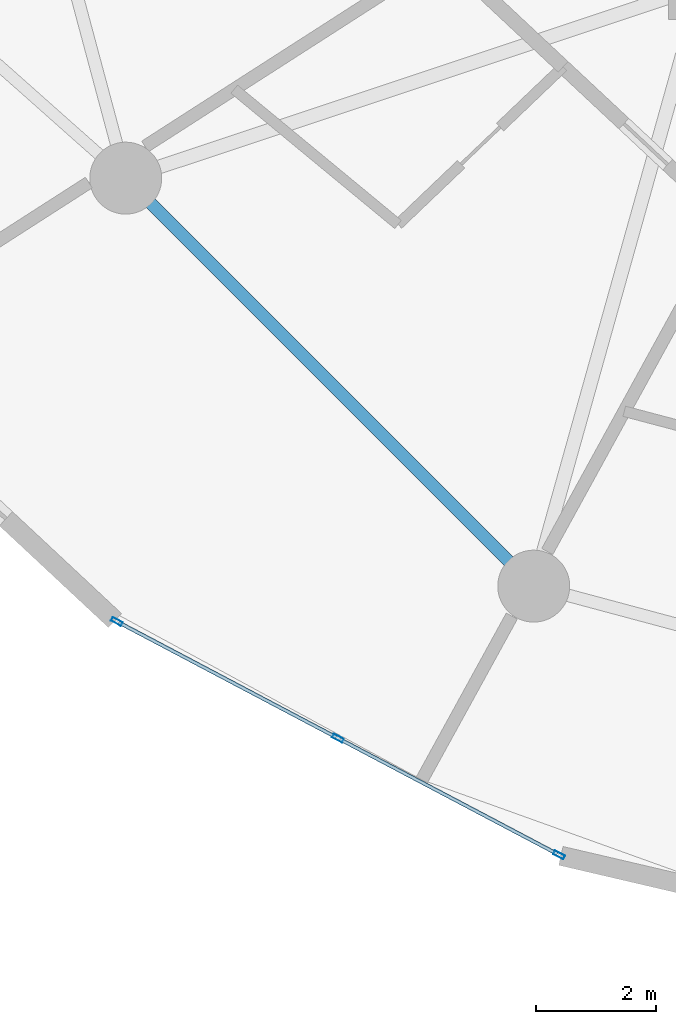
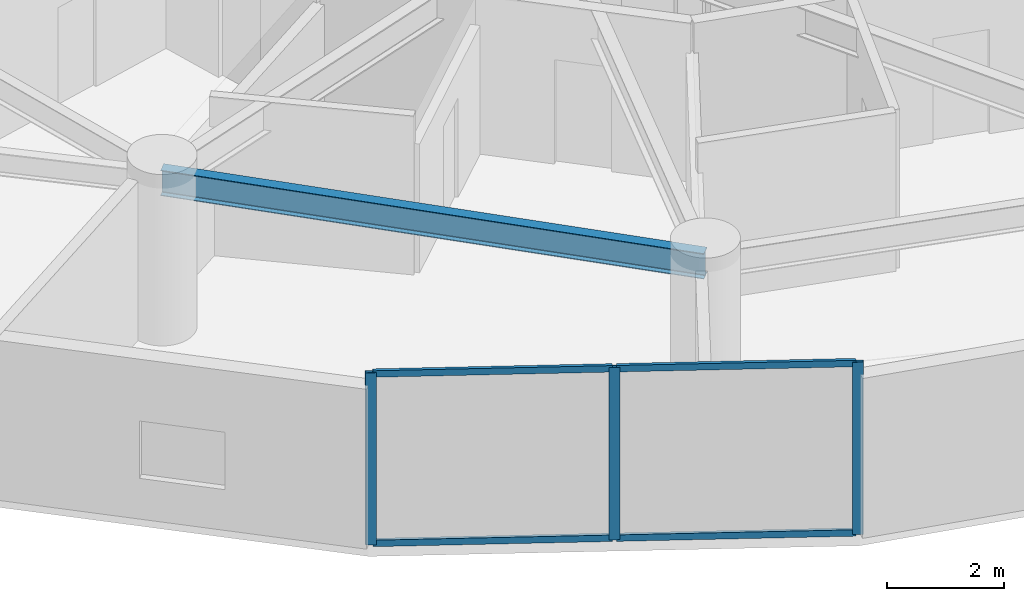
# One storey, part 2 of 23: 7 members, 1 beam, 1 element without a shape of its own.
"""IFC4 building model written with IfcOpenShell, lengths in metres."""

from ifc_helpers import new_model, si_unit, direction, frame, origin, origin_2d, place, context, subcontext, project, spatial, hollow_rectangle, i_section, extrude, source, transform, mapped, material, layer, layer_set, material_profile, profile_set, type_object, element, aggregate, save


model = new_model("IFC4")

# Units and contexts
model_context = context("Model", 3, precision=1e-05, world=origin(), true_north=direction((0.0, 1.0)))
body_context = subcontext(model_context, "Body", "Model", "MODEL_VIEW")
ifc_project = project(units=[si_unit("LENGTHUNIT", "METRE"), si_unit("AREAUNIT", "SQUARE_METRE"), si_unit("VOLUMEUNIT", "CUBIC_METRE"), si_unit("PLANEANGLEUNIT", "RADIAN"), si_unit("MASSUNIT", "GRAM", prefix="KILO")], contexts=[model_context])

# Site, building, storey
site_placement = place(None, origin())
site = spatial("IfcSite", under=ifc_project, at=site_placement, CompositionType="ELEMENT")
building_placement = place(site_placement, origin())
building = spatial("IfcBuilding", under=site, at=building_placement, Name="Solvirekh Grand Hotel", CompositionType="ELEMENT")
storey_placement = place(building_placement, frame((0.0, 0.0, 75.199951171875)))
storey = spatial("IfcBuildingStorey", under=building, at=storey_placement, Name="L18", CompositionType="ELEMENT", Elevation=75.199951171875)

# Beam
ifc_material_1 = material(Name="Steel S355", Category="steel")
ifc_material_profile_1 = material_profile(ifc_material_1, i_section(OverallWidth=0.208984375, OverallDepth=0.532958984375, WebThickness=0.010009765625, FlangeThickness=0.014892578125, FilletRadius=0.013916015625, at=origin_2d()), Name="W530X92")
ifc_profile_set_1 = profile_set([ifc_material_profile_1], Name="Steel S355")
beam_type = type_object("IfcBeamType", Name="Spandrel_Ring_W530", PredefinedType="SPANDREL", material=ifc_profile_set_1)
beam_placement = place(storey_placement, frame((-16.10791015625, -9.300048828125, 3.073974609375), z_axis=(0.707106781187, -0.707106781187, 0.0), x_axis=(0.707106781187, 0.707106781187, 0.0)))
element("IfcBeam", 1, at=beam_placement, inside=storey, type_object=beam_type, Name="L18 perimeter spandrel beam 8", PredefinedType="SPANDREL", context=body_context, shape_type="SweptSolid", body=[
    extrude(i_section(OverallWidth=0.208984375, OverallDepth=0.532958984375, WebThickness=0.010009765625, FlangeThickness=0.014892578125, FilletRadius=0.013916015625, at=origin_2d()), origin(), (0.0, 0.0, 1.0), 9.627685546875),
])

# Curtain wall, members
ifc_material_2 = material(Name="Anodized Bronze Aluminium 6063-T6", Category="aluminium")
ifc_layer = layer(ifc_material_2, 0.18994140625)
ifc_layer_set = layer_set([ifc_layer], Name="Anodized Bronze Aluminium 6063-T6")
curtain_wall_type = type_object("IfcCurtainWallType", Name="CW_Sys2_LowZoneFlushBronzeCW", PredefinedType="NOTDEFINED", material=ifc_layer_set)
curtain_wall_placement = place(storey_placement, origin())
curtain_wall = element("IfcCurtainWall", 2, at=curtain_wall_placement, inside=storey, type_object=curtain_wall_type, Name="L18 unitised bronze-glass curtain wall CW-L18-C15", PredefinedType="NOTDEFINED")
ifc_material_profile_2 = material_profile(ifc_material_2, hollow_rectangle(XDim=0.070068359375, YDim=0.18994140625, WallThickness=0.0048828125, at=origin_2d()), Name="ALU RHS 190X70X5")
ifc_profile_set_2 = profile_set([ifc_material_profile_2], Name="Anodized Bronze Aluminium 6063-T6")
member_type_1 = type_object("IfcMemberType", Name="CWMullion_Sys2", PredefinedType="MULLION", material=ifc_profile_set_2)
shared_shape_1 = source(origin(), body_context, "Body", "SweptSolid", [
    extrude(hollow_rectangle(XDim=0.070068359375, YDim=0.18994140625, WallThickness=0.0048828125, at=origin_2d()), origin(), (0.0, 0.0, 1.0), 3.60009765625),
])
member_1_placement = place(storey_placement, frame((-16.256103515625, -16.6982421875, 0.0), z_axis=(0.0, 0.0, 1.0), x_axis=(0.466789609265, 0.884368396474, 0.0)))
member_1 = element("IfcMember", 3, at=member_1_placement, type_object=member_type_1, Name="U02 mullion 1", PredefinedType="MULLION", context=body_context, shape_type="MappedRepresentation", body=[
    mapped(shared_shape_1, transform((0.0, 0.0, 0.0), x_axis=(1.0, 0.0, 0.0), y_axis=(0.0, 1.0, 0.0), z_axis=(0.0, 0.0, 1.0), scale=1.0)),
])
member_2_placement = place(storey_placement, frame((-12.56689453125, -18.6455078125, 0.0), z_axis=(0.0, 0.0, 1.0), x_axis=(0.466789609265, 0.884368396474, 0.0)))
member_2 = element("IfcMember", 4, at=member_2_placement, type_object=member_type_1, Name="U02 mullion 2", PredefinedType="MULLION", context=body_context, shape_type="MappedRepresentation", body=[
    mapped(shared_shape_1, transform((0.0, 0.0, 0.0), x_axis=(1.0, 0.0, 0.0), y_axis=(0.0, 1.0, 0.0), z_axis=(0.0, 0.0, 1.0), scale=1.0)),
])
member_3_placement = place(storey_placement, frame((-8.8779296875, -20.5927734375, 0.0), z_axis=(0.0, 0.0, 1.0), x_axis=(0.466789609265, 0.884368396474, 0.0)))
member_3 = element("IfcMember", 5, at=member_3_placement, type_object=member_type_1, Name="U02 mullion 3", PredefinedType="MULLION", context=body_context, shape_type="MappedRepresentation", body=[
    mapped(shared_shape_1, transform((0.0, 0.0, 0.0), x_axis=(1.0, 0.0, 0.0), y_axis=(0.0, 1.0, 0.0), z_axis=(0.0, 0.0, 1.0), scale=1.0)),
])
ifc_material_profile_3 = material_profile(ifc_material_2, hollow_rectangle(XDim=0.06005859375, YDim=0.135009765625, WallThickness=0.00390625, at=origin_2d()), Name="ALU RHS 135X60X4")
ifc_profile_set_3 = profile_set([ifc_material_profile_3], Name="Anodized Bronze Aluminium 6063-T6")
member_type_2 = type_object("IfcMemberType", Name="CWTransom_Sys2", PredefinedType="USERDEFINED", material=ifc_profile_set_3)
shared_shape_2 = source(origin(), body_context, "Body", "SweptSolid", [
    extrude(hollow_rectangle(XDim=0.06005859375, YDim=0.135009765625, WallThickness=0.00390625, at=origin_2d()), origin(), (0.0, 0.0, 1.0), 4.1015625),
])
member_4_placement = place(storey_placement, frame((-16.22509765625, -16.714599609375, 0.030029296875), z_axis=(0.884364958237, -0.466796123208, 0.0), x_axis=(0.466796123208, 0.884364958237, 0.0)))
member_4 = element("IfcMember", 6, at=member_4_placement, type_object=member_type_2, Name="U02 transom 1.1", ObjectType="TRANSOM", PredefinedType="USERDEFINED", context=body_context, shape_type="MappedRepresentation", body=[
    mapped(shared_shape_2, transform((0.0, 0.0, 0.0), x_axis=(1.0, 0.0, 0.0), y_axis=(0.0, 1.0, 0.0), z_axis=(0.0, 0.0, 1.0), scale=1.0)),
])
member_5_placement = place(storey_placement, frame((-16.22509765625, -16.714599609375, 3.570068359375), z_axis=(0.884364958237, -0.466796123208, 0.0), x_axis=(0.466796123208, 0.884364958237, 0.0)))
member_5 = element("IfcMember", 7, at=member_5_placement, type_object=member_type_2, Name="U02 transom 1.2", ObjectType="TRANSOM", PredefinedType="USERDEFINED", context=body_context, shape_type="MappedRepresentation", body=[
    mapped(shared_shape_2, transform((0.0, 0.0, 0.0), x_axis=(1.0, 0.0, 0.0), y_axis=(0.0, 1.0, 0.0), z_axis=(0.0, 0.0, 1.0), scale=1.0)),
])
member_6_placement = place(storey_placement, frame((-12.5361328125, -18.661865234375, 0.030029296875), z_axis=(0.884364958237, -0.466796123208, 0.0), x_axis=(0.466796123208, 0.884364958237, 0.0)))
member_6 = element("IfcMember", 8, at=member_6_placement, type_object=member_type_2, Name="U02 transom 2.1", ObjectType="TRANSOM", PredefinedType="USERDEFINED", context=body_context, shape_type="MappedRepresentation", body=[
    mapped(shared_shape_2, transform((0.0, 0.0, 0.0), x_axis=(1.0, 0.0, 0.0), y_axis=(0.0, 1.0, 0.0), z_axis=(0.0, 0.0, 1.0), scale=1.0)),
])
member_7_placement = place(storey_placement, frame((-12.5361328125, -18.661865234375, 3.570068359375), z_axis=(0.884364958237, -0.466796123208, 0.0), x_axis=(0.466796123208, 0.884364958237, 0.0)))
member_7 = element("IfcMember", 9, at=member_7_placement, type_object=member_type_2, Name="U02 transom 2.2", ObjectType="TRANSOM", PredefinedType="USERDEFINED", context=body_context, shape_type="MappedRepresentation", body=[
    mapped(shared_shape_2, transform((0.0, 0.0, 0.0), x_axis=(1.0, 0.0, 0.0), y_axis=(0.0, 1.0, 0.0), z_axis=(0.0, 0.0, 1.0), scale=1.0)),
])
aggregate(curtain_wall, [member_1, member_2, member_3, member_4, member_5, member_6, member_7])

save(model, "model.ifc")
